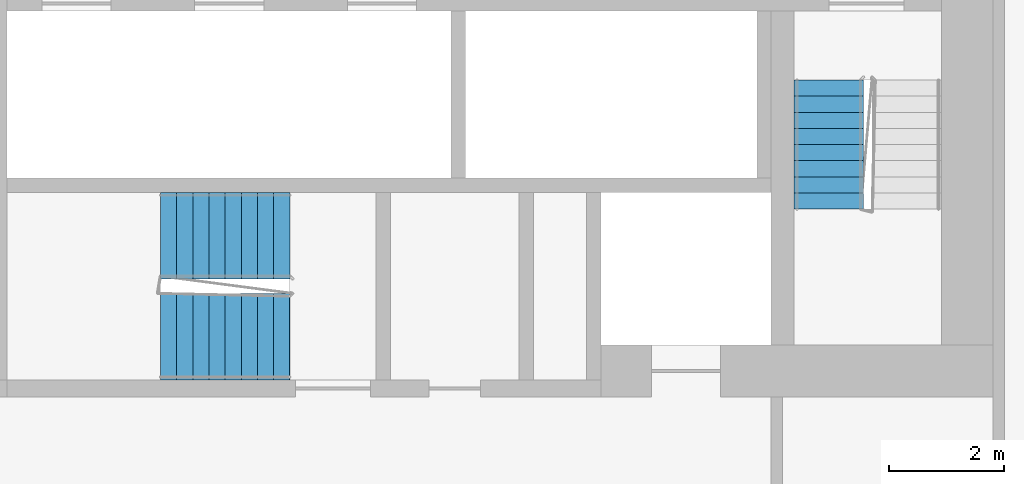
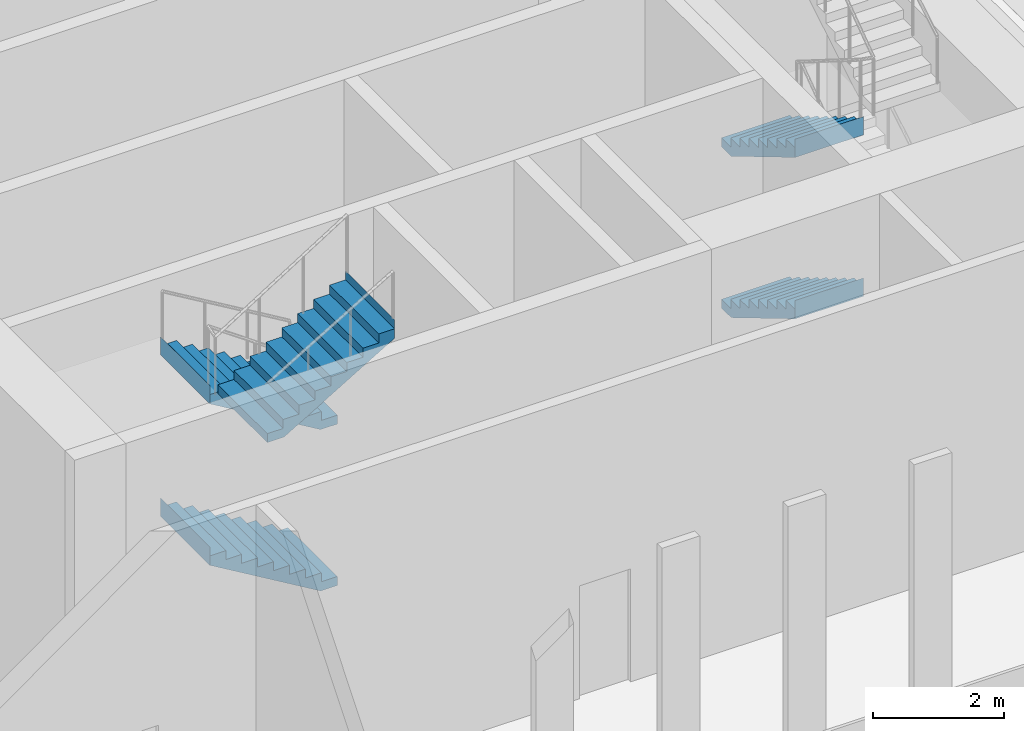
# One storey, part 20 of 26: 5 stair flights, 2 elements without a shape of their own.
"""IFC4 building model written with IfcOpenShell, lengths in metres."""

import ifcopenshell
import ifcopenshell.guid

model = None  # the IFC model being written
_history = None  # IfcOwnerHistory: only IFC2X3 demands one
_inside = {}  # id of a spatial element -> (the spatial element, [elements in it])
_under = {}  # id of a project, library or spatial element -> (it, [spatial elements below it])
_declared = {}  # id of a project -> (the project, [libraries it declares])
_typed = {}  # id of a type object -> (the type object, [elements of that type])
_made_of = {}  # id of a material, layer set ... -> (it, [elements and type objects made of it])


def new_model(schema):
    """Start an empty IFC model of exactly this schema.

    Asked for "IFC4X3", IfcOpenShell would pick the latest addendum, in which some entities
    have other attributes; the version numbers below select the first issue.
    IFC2X3 requires an IfcOwnerHistory on every rooted entity: one is made here for all.
    """
    global model, _history
    if schema == "IFC4X3":
        model = ifcopenshell.file(schema_version=(4, 3, 0, 0))
    else:
        model = ifcopenshell.file(schema=schema)
    _inside.clear()
    _under.clear()
    _declared.clear()
    _typed.clear()
    _made_of.clear()
    _history = None
    if model.schema == "IFC2X3":
        org = make("IfcOrganization", Name="unknown")
        user = make(
            "IfcPersonAndOrganization",
            ThePerson=make("IfcPerson", FamilyName="unknown"),
            TheOrganization=org,
        )
        app = make(
            "IfcApplication",
            ApplicationDeveloper=org,
            Version="unknown",
            ApplicationFullName="unknown",
            ApplicationIdentifier="unknown",
        )
        _history = make(
            "IfcOwnerHistory",
            OwningUser=user,
            OwningApplication=app,
            ChangeAction="ADDED",
            CreationDate=0,
        )
    return model


def make(cls, **values):
    """One entity of the class cls with the attributes given. An attribute that is None is left unset."""
    return model.create_entity(
        cls, **{name: value for name, value in values.items() if value is not None}
    )


def rooted(cls, **values):
    """An entity with a GlobalId (a new one), such as an element, a storey or a relation."""
    return make(cls, GlobalId=ifcopenshell.guid.new(), OwnerHistory=_history, **values)


def si_unit(unit_type, name, prefix=None):
    """IfcSIUnit, for example si_unit("LENGTHUNIT", "METRE", prefix="MILLI")."""
    return make("IfcSIUnit", UnitType=unit_type, Prefix=prefix, Name=name)


def assignment(units):
    """IfcUnitAssignment: the units of a project."""
    return None if units is None else make("IfcUnitAssignment", Units=units)


def point(xyz):
    """IfcCartesianPoint."""
    return None if xyz is None else make("IfcCartesianPoint", Coordinates=xyz)


def direction(xyz):
    """IfcDirection."""
    return None if xyz is None else make("IfcDirection", DirectionRatios=xyz)


def frame(location, z_axis=None, x_axis=None):
    """IfcAxis2Placement3D, a coordinate frame: its origin and axes. An axis left out is left unset."""
    return make(
        "IfcAxis2Placement3D",
        Location=point(location),
        Axis=direction(z_axis),
        RefDirection=direction(x_axis),
    )


def origin():
    """The frame at (0, 0, 0) with its axes left unset."""
    return frame((0.0, 0.0, 0.0))


def place(relative_to, where):
    """IfcLocalPlacement: puts the frame where relative to a parent placement (None: the world)."""
    return make(
        "IfcLocalPlacement", PlacementRelTo=relative_to, RelativePlacement=where
    )


def context(
    kind, dimensions, precision=None, world=None, true_north=None, identifier=None
):
    """IfcGeometricRepresentationContext, for example the 3D "Model" context."""
    return make(
        "IfcGeometricRepresentationContext",
        ContextIdentifier=identifier,
        ContextType=kind,
        CoordinateSpaceDimension=dimensions,
        Precision=precision,
        WorldCoordinateSystem=world,
        TrueNorth=true_north,
    )


def subcontext(parent, identifier, kind, view, scale=None):
    """IfcGeometricRepresentationSubContext, for example "Body" below "Model"."""
    return make(
        "IfcGeometricRepresentationSubContext",
        ContextIdentifier=identifier,
        ContextType=kind,
        ParentContext=parent,
        TargetScale=scale,
        TargetView=view,
    )


def project(units=None, contexts=None):
    """IfcProject with its units and contexts."""
    return rooted(
        "IfcProject",
        Name="project",
        RepresentationContexts=contexts,
        UnitsInContext=assignment(units),
    )


def spatial(cls, under=None, at=None, **own):
    """A site, building, storey or space (cls), placed at a placement, below another one or the project."""
    s = rooted(cls, ObjectPlacement=at, **own)
    if under is not None:
        _under.setdefault(under.id(), (under, []))[1].append(s)
    return s


def faces_of(points, faces, orient=None, outer=None):
    """IfcFace entities. A face is a list of loops; a loop is a list of indices into points, from 0.

    orient and outer hold one flag for each loop. By default every Orientation is true, the
    first loop of a face is its IfcFaceOuterBound and the others are IfcFaceBound.
    """
    made = []
    for i, loops in enumerate(faces):
        bounds = []
        for j, loop in enumerate(loops):
            is_outer = j == 0 if outer is None else outer[i][j]
            bounds.append(
                make(
                    "IfcFaceOuterBound" if is_outer else "IfcFaceBound",
                    Bound=make("IfcPolyLoop", Polygon=[points[k] for k in loop]),
                    Orientation=True if orient is None else orient[i][j],
                )
            )
        made.append(make("IfcFace", Bounds=bounds))
    return made


def faceted_brep(points, faces, orient=None, outer=None, voids=None):
    """IfcFacetedBrep: a solid bounded by flat faces; with voids (closed shells), ...WithVoids."""
    shared = [point(p) for p in points]
    hull = make("IfcClosedShell", CfsFaces=faces_of(shared, faces, orient, outer))
    if voids is None:
        return make("IfcFacetedBrep", Outer=hull)
    return make(
        "IfcFacetedBrepWithVoids",
        Outer=hull,
        Voids=[
            make(cls, CfsFaces=faces_of(shared, fs, o, b)) for cls, fs, o, b in voids
        ],
    )


def shape(context_of_items, identifier, shape_type, items):
    """IfcShapeRepresentation: the items that make up one representation, for example the "Body"."""
    return make(
        "IfcShapeRepresentation",
        ContextOfItems=context_of_items,
        RepresentationIdentifier=identifier,
        RepresentationType=shape_type,
        Items=items,
    )


def material(Name=None, Category=None):
    """IfcMaterial."""
    return make("IfcMaterial", Name=Name, Category=Category)


def made_of(thing, what):
    """Note that an element or type object is made of a material, layer set ...; save() writes the relation."""
    if what is not None:
        _made_of.setdefault(what.id(), (what, []))[1].append(thing)
    return thing


def type_object(cls, material=None, **own):
    """A type object (cls), such as IfcWallType, which elements share."""
    return made_of(rooted(cls, **own), material)


def element(
    cls,
    number,
    at=None,
    inside=None,
    cuts=None,
    type_object=None,
    material=None,
    context=None,
    identifier="Body",
    shape_type=None,
    held_by="IfcProductDefinitionShape",
    body=None,
    shapes=None,
    **own,
):
    """One element of the class cls, such as IfcWall. Its Tag is "e" and its number.

    at: its placement. inside: the storey or other place that contains it. cuts: it is an
    opening in that element (IfcRelVoidsElement). A single representation is given by context,
    identifier, shape_type and body (its items); several are given by shapes. held_by: the class
    of the entity that holds the representations. save() writes the other relations.
    """
    e = rooted(cls, Tag="e%d" % number, ObjectPlacement=at, **own)
    if body is not None:
        shapes = [shape(context, identifier, shape_type, body)]
    if shapes is not None:
        e.Representation = make(held_by, Representations=shapes)
    if inside is not None:
        _inside.setdefault(inside.id(), (inside, []))[1].append(e)
    if cuts is not None:
        rooted(
            "IfcRelVoidsElement", RelatingBuildingElement=cuts, RelatedOpeningElement=e
        )
    if type_object is not None:
        _typed.setdefault(type_object.id(), (type_object, []))[1].append(e)
    return made_of(e, material)


def aggregate(whole, parts):
    """IfcRelAggregates: a whole, such as a stair, and the parts it consists of."""
    return rooted("IfcRelAggregates", RelatingObject=whole, RelatedObjects=parts)


def save(model, path):
    """Write the relations noted so far, then the file.

    IfcRelAggregates (storeys below a building ...), IfcRelContainedInSpatialStructure (elements
    in a storey), IfcRelDefinesByType, IfcRelAssociatesMaterial and IfcRelDeclares: one each for
    every whole, place, type object, material and project.
    """
    for whole, parts in _under.values():
        aggregate(whole, parts)
    for where, things in _inside.values():
        rooted(
            "IfcRelContainedInSpatialStructure",
            RelatedElements=things,
            RelatingStructure=where,
        )
    for kind, things in _typed.values():
        rooted("IfcRelDefinesByType", RelatedObjects=things, RelatingType=kind)
    for what, things in _made_of.values():
        rooted("IfcRelAssociatesMaterial", RelatedObjects=things, RelatingMaterial=what)
    for by, libraries in _declared.values():
        rooted("IfcRelDeclares", RelatingContext=by, RelatedDefinitions=libraries)
    model.write(path)


model = new_model("IFC4")

# Units and contexts
model_context = context("Model", 3, precision=1e-05, world=origin(), true_north=direction((0.0, 1.0)))
body_context = subcontext(model_context, "Body", "Model", "MODEL_VIEW")
ifc_project = project(units=[si_unit("LENGTHUNIT", "METRE"), si_unit("AREAUNIT", "SQUARE_METRE"), si_unit("VOLUMEUNIT", "CUBIC_METRE"), si_unit("PLANEANGLEUNIT", "RADIAN"), si_unit("MASSUNIT", "GRAM", prefix="KILO")], contexts=[model_context])

# Site, building, storey
site_placement = place(None, origin())
site = spatial("IfcSite", under=ifc_project, at=site_placement, CompositionType="ELEMENT")
building_placement = place(site_placement, origin())
building = spatial("IfcBuilding", under=site, at=building_placement, Name="Kajstack Hotel Tower", CompositionType="ELEMENT")
storey_placement = place(building_placement, frame((0.0, 0.0, 47.0)))
storey = spatial("IfcBuildingStorey", under=building, at=storey_placement, Name="L07", CompositionType="ELEMENT", Elevation=47.0)

# Stair, stair flights
ifc_material = material(Name="Concrete C40/50", Category="concrete")
stair_type_1 = type_object("IfcStairType", Name="Exit stair 1200", PredefinedType="HALF_TURN_STAIR", material=ifc_material)
stair_1_placement = place(storey_placement, origin())
stair_1 = element("IfcStair", 1, at=stair_1_placement, inside=storey, type_object=stair_type_1, Name="L07 stair W2", PredefinedType="HALF_TURN_STAIR")
stair_flight_type_1 = type_object("IfcStairFlightType", Name="Exit stair flight 1200", PredefinedType="STRAIGHT", material=ifc_material)
stair_flight_1_placement = place(storey_placement, frame((-16.35009765625, -10.0, 0.0), z_axis=(0.0, 0.0, 1.0), x_axis=(0.0, -1.0, 0.0)))
stair_flight_1 = element("IfcStairFlight", 2, at=stair_flight_1_placement, type_object=stair_flight_type_1, Name="W2 flight 1", NumberOfRisers=9, NumberOfTreads=8, PredefinedType="STRAIGHT", RiserHeight=0.166666667, TreadLength=0.28, context=body_context, shape_type="Brep", body=[
    faceted_brep([(0.29345703125, -0.60009765625, 0.0), (2.240478515625, -0.60009765625, 1.158935546875), (2.240478515625, -0.60009765625, 1.5), (2.239990234375, -0.60009765625, 1.5), (2.239990234375, -0.60009765625, 1.333251953125), (1.9599609375, -0.60009765625, 1.333251953125), (1.9599609375, -0.60009765625, 1.166748046875), (1.679931640625, -0.60009765625, 1.166748046875), (1.679931640625, -0.60009765625, 1.0), (1.39990234375, -0.60009765625, 1.0), (1.39990234375, -0.60009765625, 0.833251953125), (1.1201171875, -0.60009765625, 0.833251953125), (1.1201171875, -0.60009765625, 0.666748046875), (0.840087890625, -0.60009765625, 0.666748046875), (0.840087890625, -0.60009765625, 0.5), (0.56005859375, -0.60009765625, 0.5), (0.56005859375, -0.60009765625, 0.333251953125), (0.280029296875, -0.60009765625, 0.333251953125), (0.280029296875, -0.60009765625, 0.166748046875), (-0.00048828125, -0.60009765625, 0.166748046875), (-0.00048828125, -0.60009765625, 0.0), (-0.00048828125, 0.60009765625, 0.0), (-0.00048828125, 0.60009765625, 0.166748046875), (0.280029296875, 0.60009765625, 0.166748046875), (0.280029296875, 0.60009765625, 0.333251953125), (0.56005859375, 0.60009765625, 0.333251953125), (0.56005859375, 0.60009765625, 0.5), (0.840087890625, 0.60009765625, 0.5), (0.840087890625, 0.60009765625, 0.666748046875), (1.1201171875, 0.60009765625, 0.666748046875), (1.1201171875, 0.60009765625, 0.833251953125), (1.39990234375, 0.60009765625, 0.833251953125), (1.39990234375, 0.60009765625, 1.0), (1.679931640625, 0.60009765625, 1.0), (1.679931640625, 0.60009765625, 1.166748046875), (1.9599609375, 0.60009765625, 1.166748046875), (1.9599609375, 0.60009765625, 1.333251953125), (2.239990234375, 0.60009765625, 1.333251953125), (2.239990234375, 0.60009765625, 1.5), (2.240478515625, 0.60009765625, 1.5), (2.240478515625, 0.60009765625, 1.158935546875), (0.29345703125, 0.60009765625, 0.0), (-0.00048828125, -0.300048828125, 0.166748046875), (-0.00048828125, 0.0, 0.166748046875), (-0.00048828125, 0.300048828125, 0.166748046875), (-0.00048828125, 0.300048828125, 0.0), (-0.00048828125, 0.0, 0.0), (-0.00048828125, -0.300048828125, 0.0), (0.280029296875, -0.300048828125, 0.166748046875), (0.280029296875, 0.0, 0.166748046875), (0.280029296875, 0.300048828125, 0.166748046875), (0.280029296875, -0.300048828125, 0.333251953125), (0.280029296875, 0.0, 0.333251953125), (0.280029296875, 0.300048828125, 0.333251953125), (0.56005859375, -0.300048828125, 0.333251953125), (0.56005859375, 0.0, 0.333251953125), (0.56005859375, 0.300048828125, 0.333251953125), (0.56005859375, -0.300048828125, 0.5), (0.56005859375, 0.0, 0.5), (0.56005859375, 0.300048828125, 0.5), (0.840087890625, -0.300048828125, 0.5), (0.840087890625, 0.0, 0.5), (0.840087890625, 0.300048828125, 0.5), (0.840087890625, -0.300048828125, 0.666748046875), (0.840087890625, 0.0, 0.666748046875), (0.840087890625, 0.300048828125, 0.666748046875), (1.1201171875, -0.300048828125, 0.666748046875), (1.1201171875, 0.0, 0.666748046875), (1.1201171875, 0.300048828125, 0.666748046875), (1.1201171875, -0.300048828125, 0.833251953125), (1.1201171875, 0.0, 0.833251953125), (1.1201171875, 0.300048828125, 0.833251953125), (1.39990234375, -0.300048828125, 0.833251953125), (1.39990234375, 0.0, 0.833251953125), (1.39990234375, 0.300048828125, 0.833251953125), (1.39990234375, -0.300048828125, 1.0), (1.39990234375, 0.0, 1.0), (1.39990234375, 0.300048828125, 1.0), (1.679931640625, -0.300048828125, 1.0), (1.679931640625, 0.0, 1.0), (1.679931640625, 0.300048828125, 1.0), (1.679931640625, -0.300048828125, 1.166748046875), (1.679931640625, 0.0, 1.166748046875), (1.679931640625, 0.300048828125, 1.166748046875), (1.9599609375, -0.300048828125, 1.166748046875), (1.9599609375, 0.0, 1.166748046875), (1.9599609375, 0.300048828125, 1.166748046875), (1.9599609375, -0.300048828125, 1.333251953125), (1.9599609375, 0.0, 1.333251953125), (1.9599609375, 0.300048828125, 1.333251953125), (2.239990234375, -0.300048828125, 1.333251953125), (2.239990234375, 0.0, 1.333251953125), (2.239990234375, 0.300048828125, 1.333251953125), (2.239990234375, -0.300048828125, 1.5), (2.239990234375, 0.0, 1.5), (2.239990234375, 0.300048828125, 1.5), (2.240478515625, -0.300048828125, 1.5), (2.240478515625, 0.0, 1.5), (2.240478515625, 0.300048828125, 1.5), (2.240478515625, -0.300048828125, 1.158935546875), (2.240478515625, 0.0, 1.158935546875), (2.240478515625, 0.300048828125, 1.158935546875), (0.29345703125, -0.300048828125, 0.0), (0.29345703125, 0.0, 0.0), (0.29345703125, 0.300048828125, 0.0)], [[[0, 1, 2, 3, 4, 5, 6, 7, 8, 9, 10, 11, 12, 13, 14, 15, 16, 17, 18, 19, 20]], [[21, 22, 23, 24, 25, 26, 27, 28, 29, 30, 31, 32, 33, 34, 35, 36, 37, 38, 39, 40, 41]], [[19, 42, 43, 44, 22, 21, 45, 46, 47, 20]], [[18, 48, 49, 50, 23, 22, 44, 43, 42, 19]], [[17, 51, 52, 53, 24, 23, 50, 49, 48, 18]], [[16, 54, 55, 56, 25, 24, 53, 52, 51, 17]], [[15, 57, 58, 59, 26, 25, 56, 55, 54, 16]], [[14, 60, 61, 62, 27, 26, 59, 58, 57, 15]], [[13, 63, 64, 65, 28, 27, 62, 61, 60, 14]], [[12, 66, 67, 68, 29, 28, 65, 64, 63, 13]], [[11, 69, 70, 71, 30, 29, 68, 67, 66, 12]], [[10, 72, 73, 74, 31, 30, 71, 70, 69, 11]], [[9, 75, 76, 77, 32, 31, 74, 73, 72, 10]], [[8, 78, 79, 80, 33, 32, 77, 76, 75, 9]], [[7, 81, 82, 83, 34, 33, 80, 79, 78, 8]], [[6, 84, 85, 86, 35, 34, 83, 82, 81, 7]], [[5, 87, 88, 89, 36, 35, 86, 85, 84, 6]], [[4, 90, 91, 92, 37, 36, 89, 88, 87, 5]], [[3, 93, 94, 95, 38, 37, 92, 91, 90, 4]], [[2, 96, 97, 98, 39, 38, 95, 94, 93, 3]], [[1, 99, 100, 101, 40, 39, 98, 97, 96, 2]], [[0, 102, 103, 104, 41, 40, 101, 100, 99, 1]], [[20, 47, 46, 45, 21, 41, 104, 103, 102, 0]]]),
])
stair_flight_2_placement = place(storey_placement, frame((-16.35009765625, -10.0, 3.0), z_axis=(0.0, 0.0, 1.0), x_axis=(0.0, -1.0, 0.0)))
stair_flight_2 = element("IfcStairFlight", 3, at=stair_flight_2_placement, type_object=stair_flight_type_1, Name="W2 flight 3", NumberOfRisers=9, NumberOfTreads=8, PredefinedType="STRAIGHT", RiserHeight=0.166666667, TreadLength=0.28, context=body_context, shape_type="Brep", body=[
    faceted_brep([(0.29345703125, -0.60009765625, 0.0), (2.240478515625, -0.60009765625, 1.158935546875), (2.240478515625, -0.60009765625, 1.5), (2.239990234375, -0.60009765625, 1.5), (2.239990234375, -0.60009765625, 1.333251953125), (1.9599609375, -0.60009765625, 1.333251953125), (1.9599609375, -0.60009765625, 1.166748046875), (1.679931640625, -0.60009765625, 1.166748046875), (1.679931640625, -0.60009765625, 1.0), (1.39990234375, -0.60009765625, 1.0), (1.39990234375, -0.60009765625, 0.833251953125), (1.1201171875, -0.60009765625, 0.833251953125), (1.1201171875, -0.60009765625, 0.666748046875), (0.840087890625, -0.60009765625, 0.666748046875), (0.840087890625, -0.60009765625, 0.5), (0.56005859375, -0.60009765625, 0.5), (0.56005859375, -0.60009765625, 0.333251953125), (0.280029296875, -0.60009765625, 0.333251953125), (0.280029296875, -0.60009765625, 0.166748046875), (-0.00048828125, -0.60009765625, 0.166748046875), (-0.00048828125, -0.60009765625, 0.0), (-0.00048828125, 0.60009765625, 0.0), (-0.00048828125, 0.60009765625, 0.166748046875), (0.280029296875, 0.60009765625, 0.166748046875), (0.280029296875, 0.60009765625, 0.333251953125), (0.56005859375, 0.60009765625, 0.333251953125), (0.56005859375, 0.60009765625, 0.5), (0.840087890625, 0.60009765625, 0.5), (0.840087890625, 0.60009765625, 0.666748046875), (1.1201171875, 0.60009765625, 0.666748046875), (1.1201171875, 0.60009765625, 0.833251953125), (1.39990234375, 0.60009765625, 0.833251953125), (1.39990234375, 0.60009765625, 1.0), (1.679931640625, 0.60009765625, 1.0), (1.679931640625, 0.60009765625, 1.166748046875), (1.9599609375, 0.60009765625, 1.166748046875), (1.9599609375, 0.60009765625, 1.333251953125), (2.239990234375, 0.60009765625, 1.333251953125), (2.239990234375, 0.60009765625, 1.5), (2.240478515625, 0.60009765625, 1.5), (2.240478515625, 0.60009765625, 1.158935546875), (0.29345703125, 0.60009765625, 0.0), (-0.00048828125, -0.300048828125, 0.166748046875), (-0.00048828125, 0.0, 0.166748046875), (-0.00048828125, 0.300048828125, 0.166748046875), (-0.00048828125, 0.300048828125, 0.0), (-0.00048828125, 0.0, 0.0), (-0.00048828125, -0.300048828125, 0.0), (0.280029296875, -0.300048828125, 0.166748046875), (0.280029296875, 0.0, 0.166748046875), (0.280029296875, 0.300048828125, 0.166748046875), (0.280029296875, -0.300048828125, 0.333251953125), (0.280029296875, 0.0, 0.333251953125), (0.280029296875, 0.300048828125, 0.333251953125), (0.56005859375, -0.300048828125, 0.333251953125), (0.56005859375, 0.0, 0.333251953125), (0.56005859375, 0.300048828125, 0.333251953125), (0.56005859375, -0.300048828125, 0.5), (0.56005859375, 0.0, 0.5), (0.56005859375, 0.300048828125, 0.5), (0.840087890625, -0.300048828125, 0.5), (0.840087890625, 0.0, 0.5), (0.840087890625, 0.300048828125, 0.5), (0.840087890625, -0.300048828125, 0.666748046875), (0.840087890625, 0.0, 0.666748046875), (0.840087890625, 0.300048828125, 0.666748046875), (1.1201171875, -0.300048828125, 0.666748046875), (1.1201171875, 0.0, 0.666748046875), (1.1201171875, 0.300048828125, 0.666748046875), (1.1201171875, -0.300048828125, 0.833251953125), (1.1201171875, 0.0, 0.833251953125), (1.1201171875, 0.300048828125, 0.833251953125), (1.39990234375, -0.300048828125, 0.833251953125), (1.39990234375, 0.0, 0.833251953125), (1.39990234375, 0.300048828125, 0.833251953125), (1.39990234375, -0.300048828125, 1.0), (1.39990234375, 0.0, 1.0), (1.39990234375, 0.300048828125, 1.0), (1.679931640625, -0.300048828125, 1.0), (1.679931640625, 0.0, 1.0), (1.679931640625, 0.300048828125, 1.0), (1.679931640625, -0.300048828125, 1.166748046875), (1.679931640625, 0.0, 1.166748046875), (1.679931640625, 0.300048828125, 1.166748046875), (1.9599609375, -0.300048828125, 1.166748046875), (1.9599609375, 0.0, 1.166748046875), (1.9599609375, 0.300048828125, 1.166748046875), (1.9599609375, -0.300048828125, 1.333251953125), (1.9599609375, 0.0, 1.333251953125), (1.9599609375, 0.300048828125, 1.333251953125), (2.239990234375, -0.300048828125, 1.333251953125), (2.239990234375, 0.0, 1.333251953125), (2.239990234375, 0.300048828125, 1.333251953125), (2.239990234375, -0.300048828125, 1.5), (2.239990234375, 0.0, 1.5), (2.239990234375, 0.300048828125, 1.5), (2.240478515625, -0.300048828125, 1.5), (2.240478515625, 0.0, 1.5), (2.240478515625, 0.300048828125, 1.5), (2.240478515625, -0.300048828125, 1.158935546875), (2.240478515625, 0.0, 1.158935546875), (2.240478515625, 0.300048828125, 1.158935546875), (0.29345703125, -0.300048828125, 0.0), (0.29345703125, 0.0, 0.0), (0.29345703125, 0.300048828125, 0.0)], [[[0, 1, 2, 3, 4, 5, 6, 7, 8, 9, 10, 11, 12, 13, 14, 15, 16, 17, 18, 19, 20]], [[21, 22, 23, 24, 25, 26, 27, 28, 29, 30, 31, 32, 33, 34, 35, 36, 37, 38, 39, 40, 41]], [[19, 42, 43, 44, 22, 21, 45, 46, 47, 20]], [[18, 48, 49, 50, 23, 22, 44, 43, 42, 19]], [[17, 51, 52, 53, 24, 23, 50, 49, 48, 18]], [[16, 54, 55, 56, 25, 24, 53, 52, 51, 17]], [[15, 57, 58, 59, 26, 25, 56, 55, 54, 16]], [[14, 60, 61, 62, 27, 26, 59, 58, 57, 15]], [[13, 63, 64, 65, 28, 27, 62, 61, 60, 14]], [[12, 66, 67, 68, 29, 28, 65, 64, 63, 13]], [[11, 69, 70, 71, 30, 29, 68, 67, 66, 12]], [[10, 72, 73, 74, 31, 30, 71, 70, 69, 11]], [[9, 75, 76, 77, 32, 31, 74, 73, 72, 10]], [[8, 78, 79, 80, 33, 32, 77, 76, 75, 9]], [[7, 81, 82, 83, 34, 33, 80, 79, 78, 8]], [[6, 84, 85, 86, 35, 34, 83, 82, 81, 7]], [[5, 87, 88, 89, 36, 35, 86, 85, 84, 6]], [[4, 90, 91, 92, 37, 36, 89, 88, 87, 5]], [[3, 93, 94, 95, 38, 37, 92, 91, 90, 4]], [[2, 96, 97, 98, 39, 38, 95, 94, 93, 3]], [[1, 99, 100, 101, 40, 39, 98, 97, 96, 2]], [[0, 102, 103, 104, 41, 40, 101, 100, 99, 1]], [[20, 47, 46, 45, 21, 41, 104, 103, 102, 0]]]),
])
aggregate(stair_1, [stair_flight_1, stair_flight_2])

stair_type_2 = type_object("IfcStairType", Name="Exit stair 1500", PredefinedType="HALF_TURN_STAIR", material=ifc_material)
stair_2_placement = place(storey_placement, origin())
stair_2 = element("IfcStair", 4, at=stair_2_placement, inside=storey, type_object=stair_type_2, Name="L07 stair W3", PredefinedType="HALF_TURN_STAIR")
stair_flight_type_2 = type_object("IfcStairFlightType", Name="Exit stair flight 1500", PredefinedType="STRAIGHT", material=ifc_material)
stair_flight_3_placement = place(storey_placement, frame((-25.699951171875, -12.699951171875, 0.0), z_axis=(0.0, 0.0, 1.0), x_axis=(-1.0, 0.0, 0.0)))
stair_flight_3 = element("IfcStairFlight", 5, at=stair_flight_3_placement, type_object=stair_flight_type_2, Name="W3 flight 1", NumberOfRisers=9, NumberOfTreads=8, PredefinedType="STRAIGHT", RiserHeight=0.166666667, TreadLength=0.28, context=body_context, shape_type="Brep", body=[
    faceted_brep([(0.29345703125, -0.75, 0.0), (2.240478515625, -0.75, 1.158935546875), (2.240478515625, -0.75, 1.5), (2.239990234375, -0.75, 1.5), (2.239990234375, -0.75, 1.333251953125), (1.9599609375, -0.75, 1.333251953125), (1.9599609375, -0.75, 1.166748046875), (1.679931640625, -0.75, 1.166748046875), (1.679931640625, -0.75, 1.0), (1.39990234375, -0.75, 1.0), (1.39990234375, -0.75, 0.833251953125), (1.1201171875, -0.75, 0.833251953125), (1.1201171875, -0.75, 0.666748046875), (0.840087890625, -0.75, 0.666748046875), (0.840087890625, -0.75, 0.5), (0.56005859375, -0.75, 0.5), (0.56005859375, -0.75, 0.333251953125), (0.280029296875, -0.75, 0.333251953125), (0.280029296875, -0.75, 0.166748046875), (-0.00048828125, -0.75, 0.166748046875), (-0.00048828125, -0.75, 0.0), (-0.00048828125, 0.75, 0.0), (-0.00048828125, 0.75, 0.166748046875), (0.280029296875, 0.75, 0.166748046875), (0.280029296875, 0.75, 0.333251953125), (0.56005859375, 0.75, 0.333251953125), (0.56005859375, 0.75, 0.5), (0.840087890625, 0.75, 0.5), (0.840087890625, 0.75, 0.666748046875), (1.1201171875, 0.75, 0.666748046875), (1.1201171875, 0.75, 0.833251953125), (1.39990234375, 0.75, 0.833251953125), (1.39990234375, 0.75, 1.0), (1.679931640625, 0.75, 1.0), (1.679931640625, 0.75, 1.166748046875), (1.9599609375, 0.75, 1.166748046875), (1.9599609375, 0.75, 1.333251953125), (2.239990234375, 0.75, 1.333251953125), (2.239990234375, 0.75, 1.5), (2.240478515625, 0.75, 1.5), (2.240478515625, 0.75, 1.158935546875), (0.29345703125, 0.75, 0.0), (-0.00048828125, -0.375, 0.166748046875), (-0.00048828125, 0.0, 0.166748046875), (-0.00048828125, 0.375, 0.166748046875), (-0.00048828125, 0.375, 0.0), (-0.00048828125, 0.0, 0.0), (-0.00048828125, -0.375, 0.0), (0.280029296875, -0.375, 0.166748046875), (0.280029296875, 0.0, 0.166748046875), (0.280029296875, 0.375, 0.166748046875), (0.280029296875, -0.375, 0.333251953125), (0.280029296875, 0.0, 0.333251953125), (0.280029296875, 0.375, 0.333251953125), (0.56005859375, -0.375, 0.333251953125), (0.56005859375, 0.0, 0.333251953125), (0.56005859375, 0.375, 0.333251953125), (0.56005859375, -0.375, 0.5), (0.56005859375, 0.0, 0.5), (0.56005859375, 0.375, 0.5), (0.840087890625, -0.375, 0.5), (0.840087890625, 0.0, 0.5), (0.840087890625, 0.375, 0.5), (0.840087890625, -0.375, 0.666748046875), (0.840087890625, 0.0, 0.666748046875), (0.840087890625, 0.375, 0.666748046875), (1.1201171875, -0.375, 0.666748046875), (1.1201171875, 0.0, 0.666748046875), (1.1201171875, 0.375, 0.666748046875), (1.1201171875, -0.375, 0.833251953125), (1.1201171875, 0.0, 0.833251953125), (1.1201171875, 0.375, 0.833251953125), (1.39990234375, -0.375, 0.833251953125), (1.39990234375, 0.0, 0.833251953125), (1.39990234375, 0.375, 0.833251953125), (1.39990234375, -0.375, 1.0), (1.39990234375, 0.0, 1.0), (1.39990234375, 0.375, 1.0), (1.679931640625, -0.375, 1.0), (1.679931640625, 0.0, 1.0), (1.679931640625, 0.375, 1.0), (1.679931640625, -0.375, 1.166748046875), (1.679931640625, 0.0, 1.166748046875), (1.679931640625, 0.375, 1.166748046875), (1.9599609375, -0.375, 1.166748046875), (1.9599609375, 0.0, 1.166748046875), (1.9599609375, 0.375, 1.166748046875), (1.9599609375, -0.375, 1.333251953125), (1.9599609375, 0.0, 1.333251953125), (1.9599609375, 0.375, 1.333251953125), (2.239990234375, -0.375, 1.333251953125), (2.239990234375, 0.0, 1.333251953125), (2.239990234375, 0.375, 1.333251953125), (2.239990234375, -0.375, 1.5), (2.239990234375, 0.0, 1.5), (2.239990234375, 0.375, 1.5), (2.240478515625, -0.375, 1.5), (2.240478515625, 0.0, 1.5), (2.240478515625, 0.375, 1.5), (2.240478515625, -0.375, 1.158935546875), (2.240478515625, 0.0, 1.158935546875), (2.240478515625, 0.375, 1.158935546875), (0.29345703125, -0.375, 0.0), (0.29345703125, 0.0, 0.0), (0.29345703125, 0.375, 0.0)], [[[0, 1, 2, 3, 4, 5, 6, 7, 8, 9, 10, 11, 12, 13, 14, 15, 16, 17, 18, 19, 20]], [[21, 22, 23, 24, 25, 26, 27, 28, 29, 30, 31, 32, 33, 34, 35, 36, 37, 38, 39, 40, 41]], [[19, 42, 43, 44, 22, 21, 45, 46, 47, 20]], [[18, 48, 49, 50, 23, 22, 44, 43, 42, 19]], [[17, 51, 52, 53, 24, 23, 50, 49, 48, 18]], [[16, 54, 55, 56, 25, 24, 53, 52, 51, 17]], [[15, 57, 58, 59, 26, 25, 56, 55, 54, 16]], [[14, 60, 61, 62, 27, 26, 59, 58, 57, 15]], [[13, 63, 64, 65, 28, 27, 62, 61, 60, 14]], [[12, 66, 67, 68, 29, 28, 65, 64, 63, 13]], [[11, 69, 70, 71, 30, 29, 68, 67, 66, 12]], [[10, 72, 73, 74, 31, 30, 71, 70, 69, 11]], [[9, 75, 76, 77, 32, 31, 74, 73, 72, 10]], [[8, 78, 79, 80, 33, 32, 77, 76, 75, 9]], [[7, 81, 82, 83, 34, 33, 80, 79, 78, 8]], [[6, 84, 85, 86, 35, 34, 83, 82, 81, 7]], [[5, 87, 88, 89, 36, 35, 86, 85, 84, 6]], [[4, 90, 91, 92, 37, 36, 89, 88, 87, 5]], [[3, 93, 94, 95, 38, 37, 92, 91, 90, 4]], [[2, 96, 97, 98, 39, 38, 95, 94, 93, 3]], [[1, 99, 100, 101, 40, 39, 98, 97, 96, 2]], [[0, 102, 103, 104, 41, 40, 101, 100, 99, 1]], [[20, 47, 46, 45, 21, 41, 104, 103, 102, 0]]]),
])
stair_flight_4_placement = place(storey_placement, frame((-25.699951171875, -12.699951171875, 3.0), z_axis=(0.0, 0.0, 1.0), x_axis=(-1.0, 0.0, 0.0)))
stair_flight_4 = element("IfcStairFlight", 6, at=stair_flight_4_placement, type_object=stair_flight_type_2, Name="W3 flight 3", NumberOfRisers=9, NumberOfTreads=8, PredefinedType="STRAIGHT", RiserHeight=0.166666667, TreadLength=0.28, context=body_context, shape_type="Brep", body=[
    faceted_brep([(0.29345703125, -0.75, 0.0), (2.240478515625, -0.75, 1.158935546875), (2.240478515625, -0.75, 1.5), (2.239990234375, -0.75, 1.5), (2.239990234375, -0.75, 1.333251953125), (1.9599609375, -0.75, 1.333251953125), (1.9599609375, -0.75, 1.166748046875), (1.679931640625, -0.75, 1.166748046875), (1.679931640625, -0.75, 1.0), (1.39990234375, -0.75, 1.0), (1.39990234375, -0.75, 0.833251953125), (1.1201171875, -0.75, 0.833251953125), (1.1201171875, -0.75, 0.666748046875), (0.840087890625, -0.75, 0.666748046875), (0.840087890625, -0.75, 0.5), (0.56005859375, -0.75, 0.5), (0.56005859375, -0.75, 0.333251953125), (0.280029296875, -0.75, 0.333251953125), (0.280029296875, -0.75, 0.166748046875), (-0.00048828125, -0.75, 0.166748046875), (-0.00048828125, -0.75, 0.0), (-0.00048828125, 0.75, 0.0), (-0.00048828125, 0.75, 0.166748046875), (0.280029296875, 0.75, 0.166748046875), (0.280029296875, 0.75, 0.333251953125), (0.56005859375, 0.75, 0.333251953125), (0.56005859375, 0.75, 0.5), (0.840087890625, 0.75, 0.5), (0.840087890625, 0.75, 0.666748046875), (1.1201171875, 0.75, 0.666748046875), (1.1201171875, 0.75, 0.833251953125), (1.39990234375, 0.75, 0.833251953125), (1.39990234375, 0.75, 1.0), (1.679931640625, 0.75, 1.0), (1.679931640625, 0.75, 1.166748046875), (1.9599609375, 0.75, 1.166748046875), (1.9599609375, 0.75, 1.333251953125), (2.239990234375, 0.75, 1.333251953125), (2.239990234375, 0.75, 1.5), (2.240478515625, 0.75, 1.5), (2.240478515625, 0.75, 1.158935546875), (0.29345703125, 0.75, 0.0), (-0.00048828125, -0.375, 0.166748046875), (-0.00048828125, 0.0, 0.166748046875), (-0.00048828125, 0.375, 0.166748046875), (-0.00048828125, 0.375, 0.0), (-0.00048828125, 0.0, 0.0), (-0.00048828125, -0.375, 0.0), (0.280029296875, -0.375, 0.166748046875), (0.280029296875, 0.0, 0.166748046875), (0.280029296875, 0.375, 0.166748046875), (0.280029296875, -0.375, 0.333251953125), (0.280029296875, 0.0, 0.333251953125), (0.280029296875, 0.375, 0.333251953125), (0.56005859375, -0.375, 0.333251953125), (0.56005859375, 0.0, 0.333251953125), (0.56005859375, 0.375, 0.333251953125), (0.56005859375, -0.375, 0.5), (0.56005859375, 0.0, 0.5), (0.56005859375, 0.375, 0.5), (0.840087890625, -0.375, 0.5), (0.840087890625, 0.0, 0.5), (0.840087890625, 0.375, 0.5), (0.840087890625, -0.375, 0.666748046875), (0.840087890625, 0.0, 0.666748046875), (0.840087890625, 0.375, 0.666748046875), (1.1201171875, -0.375, 0.666748046875), (1.1201171875, 0.0, 0.666748046875), (1.1201171875, 0.375, 0.666748046875), (1.1201171875, -0.375, 0.833251953125), (1.1201171875, 0.0, 0.833251953125), (1.1201171875, 0.375, 0.833251953125), (1.39990234375, -0.375, 0.833251953125), (1.39990234375, 0.0, 0.833251953125), (1.39990234375, 0.375, 0.833251953125), (1.39990234375, -0.375, 1.0), (1.39990234375, 0.0, 1.0), (1.39990234375, 0.375, 1.0), (1.679931640625, -0.375, 1.0), (1.679931640625, 0.0, 1.0), (1.679931640625, 0.375, 1.0), (1.679931640625, -0.375, 1.166748046875), (1.679931640625, 0.0, 1.166748046875), (1.679931640625, 0.375, 1.166748046875), (1.9599609375, -0.375, 1.166748046875), (1.9599609375, 0.0, 1.166748046875), (1.9599609375, 0.375, 1.166748046875), (1.9599609375, -0.375, 1.333251953125), (1.9599609375, 0.0, 1.333251953125), (1.9599609375, 0.375, 1.333251953125), (2.239990234375, -0.375, 1.333251953125), (2.239990234375, 0.0, 1.333251953125), (2.239990234375, 0.375, 1.333251953125), (2.239990234375, -0.375, 1.5), (2.239990234375, 0.0, 1.5), (2.239990234375, 0.375, 1.5), (2.240478515625, -0.375, 1.5), (2.240478515625, 0.0, 1.5), (2.240478515625, 0.375, 1.5), (2.240478515625, -0.375, 1.158935546875), (2.240478515625, 0.0, 1.158935546875), (2.240478515625, 0.375, 1.158935546875), (0.29345703125, -0.375, 0.0), (0.29345703125, 0.0, 0.0), (0.29345703125, 0.375, 0.0)], [[[0, 1, 2, 3, 4, 5, 6, 7, 8, 9, 10, 11, 12, 13, 14, 15, 16, 17, 18, 19, 20]], [[21, 22, 23, 24, 25, 26, 27, 28, 29, 30, 31, 32, 33, 34, 35, 36, 37, 38, 39, 40, 41]], [[19, 42, 43, 44, 22, 21, 45, 46, 47, 20]], [[18, 48, 49, 50, 23, 22, 44, 43, 42, 19]], [[17, 51, 52, 53, 24, 23, 50, 49, 48, 18]], [[16, 54, 55, 56, 25, 24, 53, 52, 51, 17]], [[15, 57, 58, 59, 26, 25, 56, 55, 54, 16]], [[14, 60, 61, 62, 27, 26, 59, 58, 57, 15]], [[13, 63, 64, 65, 28, 27, 62, 61, 60, 14]], [[12, 66, 67, 68, 29, 28, 65, 64, 63, 13]], [[11, 69, 70, 71, 30, 29, 68, 67, 66, 12]], [[10, 72, 73, 74, 31, 30, 71, 70, 69, 11]], [[9, 75, 76, 77, 32, 31, 74, 73, 72, 10]], [[8, 78, 79, 80, 33, 32, 77, 76, 75, 9]], [[7, 81, 82, 83, 34, 33, 80, 79, 78, 8]], [[6, 84, 85, 86, 35, 34, 83, 82, 81, 7]], [[5, 87, 88, 89, 36, 35, 86, 85, 84, 6]], [[4, 90, 91, 92, 37, 36, 89, 88, 87, 5]], [[3, 93, 94, 95, 38, 37, 92, 91, 90, 4]], [[2, 96, 97, 98, 39, 38, 95, 94, 93, 3]], [[1, 99, 100, 101, 40, 39, 98, 97, 96, 2]], [[0, 102, 103, 104, 41, 40, 101, 100, 99, 1]], [[20, 47, 46, 45, 21, 41, 104, 103, 102, 0]]]),
])
stair_flight_5_placement = place(storey_placement, frame((-27.93994140625, -14.449951171875, 4.5), z_axis=(0.0, 0.0, 1.0), x_axis=(1.0, 0.0, 0.0)))
stair_flight_5 = element("IfcStairFlight", 7, at=stair_flight_5_placement, type_object=stair_flight_type_2, Name="W3 flight 4", NumberOfRisers=9, NumberOfTreads=8, PredefinedType="STRAIGHT", RiserHeight=0.166666667, TreadLength=0.28, context=body_context, shape_type="Brep", body=[
    faceted_brep([(0.29345703125, -0.75, 0.0), (2.240478515625, -0.75, 1.158935546875), (2.240478515625, -0.75, 1.5), (2.239990234375, -0.75, 1.5), (2.239990234375, -0.75, 1.333251953125), (1.9599609375, -0.75, 1.333251953125), (1.9599609375, -0.75, 1.166748046875), (1.679931640625, -0.75, 1.166748046875), (1.679931640625, -0.75, 1.0), (1.39990234375, -0.75, 1.0), (1.39990234375, -0.75, 0.833251953125), (1.1201171875, -0.75, 0.833251953125), (1.1201171875, -0.75, 0.666748046875), (0.840087890625, -0.75, 0.666748046875), (0.840087890625, -0.75, 0.5), (0.56005859375, -0.75, 0.5), (0.56005859375, -0.75, 0.333251953125), (0.280029296875, -0.75, 0.333251953125), (0.280029296875, -0.75, 0.166748046875), (-0.00048828125, -0.75, 0.166748046875), (-0.00048828125, -0.75, 0.0), (-0.00048828125, 0.75, 0.0), (-0.00048828125, 0.75, 0.166748046875), (0.280029296875, 0.75, 0.166748046875), (0.280029296875, 0.75, 0.333251953125), (0.56005859375, 0.75, 0.333251953125), (0.56005859375, 0.75, 0.5), (0.840087890625, 0.75, 0.5), (0.840087890625, 0.75, 0.666748046875), (1.1201171875, 0.75, 0.666748046875), (1.1201171875, 0.75, 0.833251953125), (1.39990234375, 0.75, 0.833251953125), (1.39990234375, 0.75, 1.0), (1.679931640625, 0.75, 1.0), (1.679931640625, 0.75, 1.166748046875), (1.9599609375, 0.75, 1.166748046875), (1.9599609375, 0.75, 1.333251953125), (2.239990234375, 0.75, 1.333251953125), (2.239990234375, 0.75, 1.5), (2.240478515625, 0.75, 1.5), (2.240478515625, 0.75, 1.158935546875), (0.29345703125, 0.75, 0.0), (-0.00048828125, -0.375, 0.166748046875), (-0.00048828125, 0.0, 0.166748046875), (-0.00048828125, 0.375, 0.166748046875), (-0.00048828125, 0.375, 0.0), (-0.00048828125, 0.0, 0.0), (-0.00048828125, -0.375, 0.0), (0.280029296875, -0.375, 0.166748046875), (0.280029296875, 0.0, 0.166748046875), (0.280029296875, 0.375, 0.166748046875), (0.280029296875, -0.375, 0.333251953125), (0.280029296875, 0.0, 0.333251953125), (0.280029296875, 0.375, 0.333251953125), (0.56005859375, -0.375, 0.333251953125), (0.56005859375, 0.0, 0.333251953125), (0.56005859375, 0.375, 0.333251953125), (0.56005859375, -0.375, 0.5), (0.56005859375, 0.0, 0.5), (0.56005859375, 0.375, 0.5), (0.840087890625, -0.375, 0.5), (0.840087890625, 0.0, 0.5), (0.840087890625, 0.375, 0.5), (0.840087890625, -0.375, 0.666748046875), (0.840087890625, 0.0, 0.666748046875), (0.840087890625, 0.375, 0.666748046875), (1.1201171875, -0.375, 0.666748046875), (1.1201171875, 0.0, 0.666748046875), (1.1201171875, 0.375, 0.666748046875), (1.1201171875, -0.375, 0.833251953125), (1.1201171875, 0.0, 0.833251953125), (1.1201171875, 0.375, 0.833251953125), (1.39990234375, -0.375, 0.833251953125), (1.39990234375, 0.0, 0.833251953125), (1.39990234375, 0.375, 0.833251953125), (1.39990234375, -0.375, 1.0), (1.39990234375, 0.0, 1.0), (1.39990234375, 0.375, 1.0), (1.679931640625, -0.375, 1.0), (1.679931640625, 0.0, 1.0), (1.679931640625, 0.375, 1.0), (1.679931640625, -0.375, 1.166748046875), (1.679931640625, 0.0, 1.166748046875), (1.679931640625, 0.375, 1.166748046875), (1.9599609375, -0.375, 1.166748046875), (1.9599609375, 0.0, 1.166748046875), (1.9599609375, 0.375, 1.166748046875), (1.9599609375, -0.375, 1.333251953125), (1.9599609375, 0.0, 1.333251953125), (1.9599609375, 0.375, 1.333251953125), (2.239990234375, -0.375, 1.333251953125), (2.239990234375, 0.0, 1.333251953125), (2.239990234375, 0.375, 1.333251953125), (2.239990234375, -0.375, 1.5), (2.239990234375, 0.0, 1.5), (2.239990234375, 0.375, 1.5), (2.240478515625, -0.375, 1.5), (2.240478515625, 0.0, 1.5), (2.240478515625, 0.375, 1.5), (2.240478515625, -0.375, 1.158935546875), (2.240478515625, 0.0, 1.158935546875), (2.240478515625, 0.375, 1.158935546875), (0.29345703125, -0.375, 0.0), (0.29345703125, 0.0, 0.0), (0.29345703125, 0.375, 0.0)], [[[0, 1, 2, 3, 4, 5, 6, 7, 8, 9, 10, 11, 12, 13, 14, 15, 16, 17, 18, 19, 20]], [[21, 22, 23, 24, 25, 26, 27, 28, 29, 30, 31, 32, 33, 34, 35, 36, 37, 38, 39, 40, 41]], [[19, 42, 43, 44, 22, 21, 45, 46, 47, 20]], [[18, 48, 49, 50, 23, 22, 44, 43, 42, 19]], [[17, 51, 52, 53, 24, 23, 50, 49, 48, 18]], [[16, 54, 55, 56, 25, 24, 53, 52, 51, 17]], [[15, 57, 58, 59, 26, 25, 56, 55, 54, 16]], [[14, 60, 61, 62, 27, 26, 59, 58, 57, 15]], [[13, 63, 64, 65, 28, 27, 62, 61, 60, 14]], [[12, 66, 67, 68, 29, 28, 65, 64, 63, 13]], [[11, 69, 70, 71, 30, 29, 68, 67, 66, 12]], [[10, 72, 73, 74, 31, 30, 71, 70, 69, 11]], [[9, 75, 76, 77, 32, 31, 74, 73, 72, 10]], [[8, 78, 79, 80, 33, 32, 77, 76, 75, 9]], [[7, 81, 82, 83, 34, 33, 80, 79, 78, 8]], [[6, 84, 85, 86, 35, 34, 83, 82, 81, 7]], [[5, 87, 88, 89, 36, 35, 86, 85, 84, 6]], [[4, 90, 91, 92, 37, 36, 89, 88, 87, 5]], [[3, 93, 94, 95, 38, 37, 92, 91, 90, 4]], [[2, 96, 97, 98, 39, 38, 95, 94, 93, 3]], [[1, 99, 100, 101, 40, 39, 98, 97, 96, 2]], [[0, 102, 103, 104, 41, 40, 101, 100, 99, 1]], [[20, 47, 46, 45, 21, 41, 104, 103, 102, 0]]]),
])
aggregate(stair_2, [stair_flight_3, stair_flight_4, stair_flight_5])

save(model, "model.ifc")
